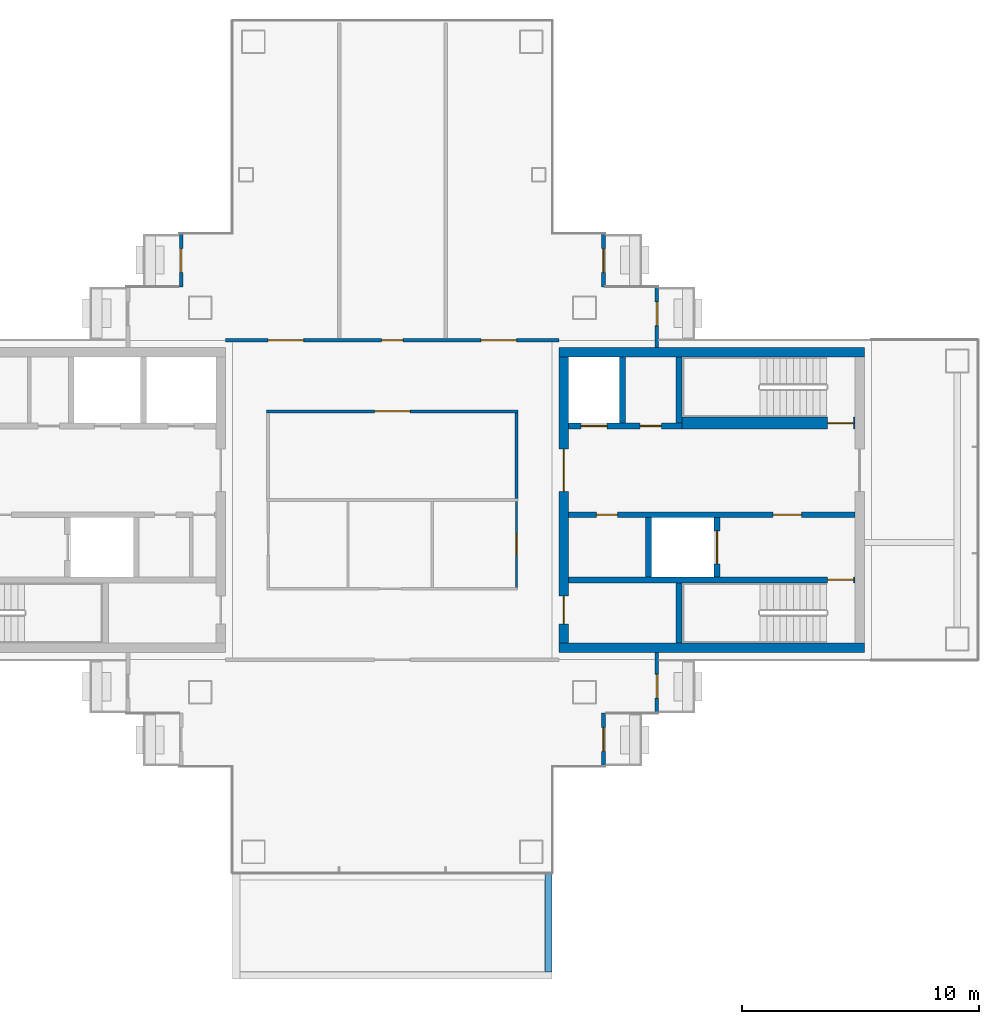
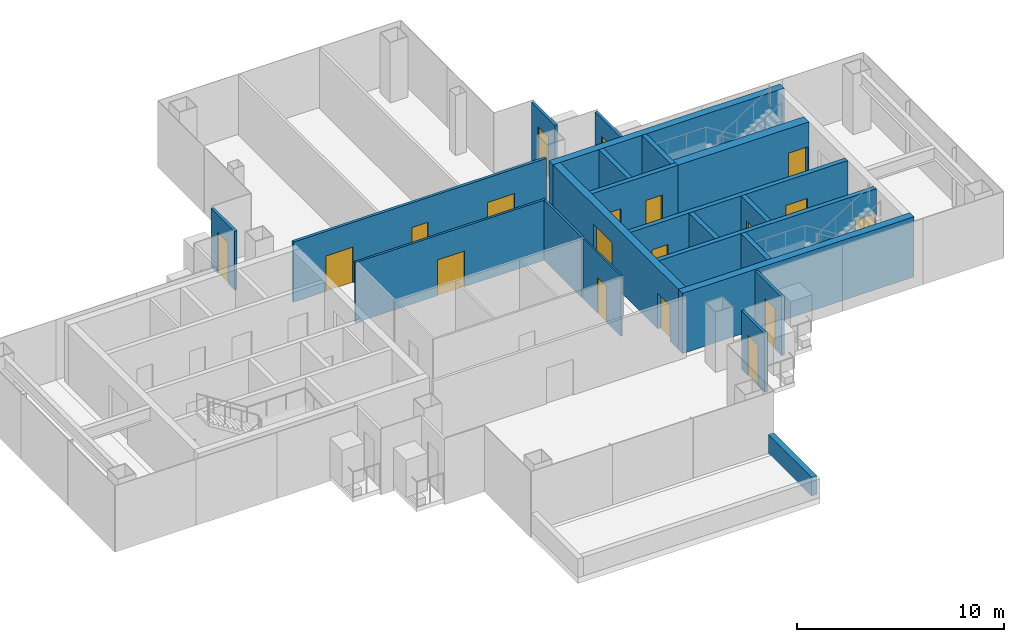
# One storey, part 12 of 16: 22 walls, 19 doors, 19 openings.
"""IFC4 building model written with IfcOpenShell, lengths in metres."""

from ifc_helpers import new_model, si_unit, direction, frame, frame_2d, origin, place, context, subcontext, project, spatial, rectangle, extrude, material, layer, layer_set, type_object, element, fill, save


model = new_model("IFC4")

# Units and contexts
model_context = context("Model", 3, precision=1e-05, world=origin(), true_north=direction((0.0, 1.0)))
body_context = subcontext(model_context, "Body", "Model", "MODEL_VIEW")
ifc_project = project(units=[si_unit("LENGTHUNIT", "METRE"), si_unit("AREAUNIT", "SQUARE_METRE"), si_unit("VOLUMEUNIT", "CUBIC_METRE"), si_unit("PLANEANGLEUNIT", "RADIAN"), si_unit("MASSUNIT", "GRAM", prefix="KILO")], contexts=[model_context])

# Site, building, storey
site_placement = place(None, origin())
site = spatial("IfcSite", under=ifc_project, at=site_placement, CompositionType="ELEMENT")
building_placement = place(site_placement, origin())
building = spatial("IfcBuilding", under=site, at=building_placement, Name="Shamsa Quay Exchange Towers", CompositionType="ELEMENT")
storey_placement = place(building_placement, frame((0.0, 0.0, 182.699951171875)))
storey = spatial("IfcBuildingStorey", under=building, at=storey_placement, Name="L43", CompositionType="ELEMENT", Elevation=182.699951171875)

# Wall, opening, door
ifc_material_1 = material(Name="Aluminium EN AW-6063 T6, black anodised, with black enamelled glass infill", Category="aluminium")
ifc_layer_1 = layer(ifc_material_1, 0.14990234375)
ifc_layer_set_1 = layer_set([ifc_layer_1], Name="BALCONY DOOR BAY WALL 150")
wall_type_1 = type_object("IfcWallType", Name="BALCONY DOOR BAY WALL 150", PredefinedType="SOLIDWALL", material=ifc_layer_set_1)
wall_1_placement = place(storey_placement, frame((24.824951171875, 9.0, 0.0), z_axis=(0.0, 0.0, 1.0), x_axis=(0.0, 1.0, 0.0)))
wall_1 = element("IfcWall", 1, at=wall_1_placement, inside=storey, type_object=wall_type_1, Name="Door bay T2-PKEN L43", PredefinedType="SOLIDWALL", context=body_context, shape_type="SweptSolid", body=[
    extrude(rectangle(XDim=2.25, YDim=0.14990234375, at=frame_2d((1.125, 0.0))), origin(), (0.0, 0.0, 1.0), 3.449951171875),
])
opening_1_placement = place(wall_1_placement, frame((0.625, 0.0, 0.0)))
opening_1 = element("IfcOpeningElement", 2, at=opening_1_placement, cuts=wall_1, Name="Opening XD273", PredefinedType="OPENING", context=body_context, shape_type="SweptSolid", body=[
    extrude(rectangle(XDim=1.0, YDim=2.39990234375, at=frame_2d((0.5, 1.199951171875))), frame((0.0, 0.0849609375, 0.0), z_axis=(0.0, -1.0, 0.0), x_axis=(1.0, 0.0, 0.0)), (0.0, 0.0, 1.0), 0.169921875),
])
ifc_material_2 = material(Name="Aluminium EN AW-6063 T6, black anodised, with laminated glass leaf", Category="aluminium")
door_type_1 = type_object("IfcDoorType", Name="BALCONY DOOR 1000x2400", OperationType="SINGLE_SWING_LEFT", PredefinedType="DOOR", material=ifc_material_2)
door_1_placement = place(opening_1_placement, origin())
door_1 = element("IfcDoor", 3, at=door_1_placement, inside=storey, type_object=door_type_1, Name="Balcony door T2-PKEN L43", OperationType="SINGLE_SWING_RIGHT", OverallHeight=2.39990234375, OverallWidth=1.0, PredefinedType="DOOR", context=body_context, shape_type="SweptSolid", body=[
    extrude(rectangle(XDim=1.0, YDim=2.39990234375, at=frame_2d((0.5, 1.199951171875))), frame((0.0, 0.02490234375, 0.0), z_axis=(0.0, -1.0, 0.0), x_axis=(1.0, 0.0, 0.0)), (0.0, 0.0, 1.0), 0.050048828125),
])
fill(opening_1, door_1)

wall_2_placement = place(storey_placement, frame((42.675048828125, 11.25, 0.0), z_axis=(0.0, 0.0, 1.0), x_axis=(0.0, -1.0, 0.0)))
wall_2 = element("IfcWall", 4, at=wall_2_placement, inside=storey, type_object=wall_type_1, Name="Door bay T2-PKES L43", PredefinedType="SOLIDWALL", context=body_context, shape_type="SweptSolid", body=[
    extrude(rectangle(XDim=2.25, YDim=0.14990234375, at=frame_2d((1.125, 0.0))), origin(), (0.0, 0.0, 1.0), 3.449951171875),
])
opening_2_placement = place(wall_2_placement, frame((0.625, 0.0, 0.0)))
opening_2 = element("IfcOpeningElement", 5, at=opening_2_placement, cuts=wall_2, Name="Opening XD275", PredefinedType="OPENING", context=body_context, shape_type="SweptSolid", body=[
    extrude(rectangle(XDim=1.0, YDim=2.39990234375, at=frame_2d((0.5, 1.199951171875))), frame((0.0, 0.0849609375, 0.0), z_axis=(0.0, -1.0, 0.0), x_axis=(1.0, 0.0, 0.0)), (0.0, 0.0, 1.0), 0.169921875),
])
door_2_placement = place(opening_2_placement, origin())
door_2 = element("IfcDoor", 6, at=door_2_placement, inside=storey, type_object=door_type_1, Name="Balcony door T2-PKES L43", OperationType="SINGLE_SWING_RIGHT", OverallHeight=2.39990234375, OverallWidth=1.0, PredefinedType="DOOR", context=body_context, shape_type="SweptSolid", body=[
    extrude(rectangle(XDim=1.0, YDim=2.39990234375, at=frame_2d((0.5, 1.199951171875))), frame((0.0, 0.02490234375, 0.0), z_axis=(0.0, -1.0, 0.0), x_axis=(1.0, 0.0, 0.0)), (0.0, 0.0, 1.0), 0.050048828125),
])
fill(opening_2, door_2)

wall_3_placement = place(storey_placement, frame((44.925048828125, 9.0, 0.0), z_axis=(0.0, 0.0, 1.0), x_axis=(0.0, -1.0, 0.0)))
wall_3 = element("IfcWall", 7, at=wall_3_placement, inside=storey, type_object=wall_type_1, Name="Door bay T2-PKES L43", PredefinedType="SOLIDWALL", context=body_context, shape_type="SweptSolid", body=[
    extrude(rectangle(XDim=2.556884765625, YDim=0.14990234375, at=frame_2d((1.2783203125, 0.0))), origin(), (0.0, 0.0, 1.0), 3.449951171875),
])
opening_3_placement = place(wall_3_placement, frame((0.625, 0.0, 0.0)))
opening_3 = element("IfcOpeningElement", 8, at=opening_3_placement, cuts=wall_3, Name="Opening XD276", PredefinedType="OPENING", context=body_context, shape_type="SweptSolid", body=[
    extrude(rectangle(XDim=1.0, YDim=2.39990234375, at=frame_2d((0.5, 1.199951171875))), frame((0.0, 0.0849609375, 0.0), z_axis=(0.0, -1.0, 0.0), x_axis=(1.0, 0.0, 0.0)), (0.0, 0.0, 1.0), 0.169921875),
])
door_3_placement = place(opening_3_placement, origin())
door_3 = element("IfcDoor", 9, at=door_3_placement, inside=storey, type_object=door_type_1, Name="Balcony door T2-PKES L43", OperationType="SINGLE_SWING_LEFT", OverallHeight=2.39990234375, OverallWidth=1.0, PredefinedType="DOOR", context=body_context, shape_type="SweptSolid", body=[
    extrude(rectangle(XDim=1.0, YDim=2.39990234375, at=frame_2d((0.5, 1.199951171875))), frame((0.0, 0.02490234375, 0.0), z_axis=(0.0, -1.0, 0.0), x_axis=(1.0, 0.0, 0.0)), (0.0, 0.0, 1.0), 0.050048828125),
])
fill(opening_3, door_3)

wall_4_placement = place(storey_placement, frame((42.675048828125, -9.0, 0.0), z_axis=(0.0, 0.0, 1.0), x_axis=(0.0, -1.0, 0.0)))
wall_4 = element("IfcWall", 10, at=wall_4_placement, inside=storey, type_object=wall_type_1, Name="Door bay T2-PKWS L43", PredefinedType="SOLIDWALL", context=body_context, shape_type="SweptSolid", body=[
    extrude(rectangle(XDim=2.25, YDim=0.14990234375, at=frame_2d((1.125, 0.0))), origin(), (0.0, 0.0, 1.0), 3.449951171875),
])
opening_4_placement = place(wall_4_placement, frame((0.625, 0.0, 0.0)))
opening_4 = element("IfcOpeningElement", 11, at=opening_4_placement, cuts=wall_4, Name="Opening XD279", PredefinedType="OPENING", context=body_context, shape_type="SweptSolid", body=[
    extrude(rectangle(XDim=1.0, YDim=2.39990234375, at=frame_2d((0.5, 1.199951171875))), frame((0.0, 0.0849609375, 0.0), z_axis=(0.0, -1.0, 0.0), x_axis=(1.0, 0.0, 0.0)), (0.0, 0.0, 1.0), 0.169921875),
])
door_4_placement = place(opening_4_placement, origin())
door_4 = element("IfcDoor", 12, at=door_4_placement, inside=storey, type_object=door_type_1, Name="Balcony door T2-PKWS L43", OperationType="SINGLE_SWING_LEFT", OverallHeight=2.39990234375, OverallWidth=1.0, PredefinedType="DOOR", context=body_context, shape_type="SweptSolid", body=[
    extrude(rectangle(XDim=1.0, YDim=2.39990234375, at=frame_2d((0.5, 1.199951171875))), frame((0.0, 0.02490234375, 0.0), z_axis=(0.0, -1.0, 0.0), x_axis=(1.0, 0.0, 0.0)), (0.0, 0.0, 1.0), 0.050048828125),
])
fill(opening_4, door_4)

wall_5_placement = place(storey_placement, frame((44.925048828125, -6.447998046875, 0.0), z_axis=(0.0, 0.0, 1.0), x_axis=(0.0, -1.0, 0.0)))
wall_5 = element("IfcWall", 13, at=wall_5_placement, inside=storey, type_object=wall_type_1, Name="Door bay T2-PKWS L43", PredefinedType="SOLIDWALL", context=body_context, shape_type="SweptSolid", body=[
    extrude(rectangle(XDim=2.552001953125, YDim=0.14990234375, at=frame_2d((1.27587890625, 0.0))), origin(), (0.0, 0.0, 1.0), 3.449951171875),
])
opening_5_placement = place(wall_5_placement, frame((0.927001953125, 0.0, 0.0)))
opening_5 = element("IfcOpeningElement", 14, at=opening_5_placement, cuts=wall_5, Name="Opening XD280", PredefinedType="OPENING", context=body_context, shape_type="SweptSolid", body=[
    extrude(rectangle(XDim=1.0, YDim=2.39990234375, at=frame_2d((0.5, 1.199951171875))), frame((0.0, 0.0849609375, 0.0), z_axis=(0.0, -1.0, 0.0), x_axis=(1.0, 0.0, 0.0)), (0.0, 0.0, 1.0), 0.169921875),
])
door_5_placement = place(opening_5_placement, origin())
door_5 = element("IfcDoor", 15, at=door_5_placement, inside=storey, type_object=door_type_1, Name="Balcony door T2-PKWS L43", OperationType="SINGLE_SWING_RIGHT", OverallHeight=2.39990234375, OverallWidth=1.0, PredefinedType="DOOR", context=body_context, shape_type="SweptSolid", body=[
    extrude(rectangle(XDim=1.0, YDim=2.39990234375, at=frame_2d((0.5, 1.199951171875))), frame((0.0, 0.02490234375, 0.0), z_axis=(0.0, -1.0, 0.0), x_axis=(1.0, 0.0, 0.0)), (0.0, 0.0, 1.0), 0.050048828125),
])
fill(opening_5, door_5)

# Walls
ifc_material_3 = material(Name="Concrete C60/75", Category="concrete")
ifc_layer_2 = layer(ifc_material_3, 0.39990234375)
ifc_layer_set_2 = layer_set([ifc_layer_2], Name="CORE WALL 400 C60/75")
wall_type_2 = type_object("IfcWallType", Name="CORE WALL 400 C60/75", PredefinedType="SHEAR", material=ifc_layer_set_2)
for number, where, z_axis, x_axis, name in (
    (16, (53.699951171875, -6.25, 0.0), (0.0, 0.0, 1.0), (-1.0, 0.0, 0.0), "Core wall T2B-R20-PS"),
    (17, (53.699951171875, 6.25, 0.0), (0.0, 0.0, 1.0), (-1.0, 0.0, 0.0), "Core wall T2B-R20-PN"),
):
    element("IfcWall", number, at=place(storey_placement, frame(where, z_axis=z_axis, x_axis=x_axis)), inside=storey, type_object=wall_type_2, Name=name, PredefinedType="SHEAR", context=body_context, shape_type="SweptSolid", body=[
        extrude(rectangle(XDim=12.89990234375, YDim=0.39990234375, at=frame_2d((6.449951171875, 0.0))), origin(), (0.0, 0.0, 1.0), 3.550048828125),
    ])

# Wall, openings, doors
wall_6_placement = place(storey_placement, frame((41.0, -6.050048828125, 0.0), z_axis=(0.0, 0.0, 1.0), x_axis=(0.0, 1.0, 0.0)))
wall_6 = element("IfcWall", 18, at=wall_6_placement, inside=storey, type_object=wall_type_2, Name="Core wall T2B-R20-PB", PredefinedType="SHEAR", context=body_context, shape_type="SweptSolid", body=[
    extrude(rectangle(XDim=12.10009765625, YDim=0.39990234375, at=frame_2d((6.050048828125, 0.0))), origin(), (0.0, 0.0, 1.0), 3.550048828125),
])
opening_6_placement = place(wall_6_placement, frame((0.800048828125, 0.0, 0.0)))
opening_6 = element("IfcOpeningElement", 19, at=opening_6_placement, cuts=wall_6, Name="Opening T2B-R20-RD02", PredefinedType="OPENING", context=body_context, shape_type="SweptSolid", body=[
    extrude(rectangle(XDim=1.199951171875, YDim=2.10009765625, at=frame_2d((0.60009765625, 1.050048828125))), frame((0.0, 0.2099609375, 0.0), z_axis=(0.0, -1.0, 0.0), x_axis=(1.0, 0.0, 0.0)), (0.0, 0.0, 1.0), 0.419921875),
])
opening_7_placement = place(wall_6_placement, frame((6.39990234375, 0.0, 0.0)))
opening_7 = element("IfcOpeningElement", 20, at=opening_7_placement, cuts=wall_6, Name="Opening T2B-R20-LBD03", PredefinedType="OPENING", context=body_context, shape_type="SweptSolid", body=[
    extrude(rectangle(XDim=1.800048828125, YDim=2.39990234375, at=frame_2d((0.89990234375, 1.199951171875))), frame((0.0, 0.2099609375, 0.0), z_axis=(0.0, -1.0, 0.0), x_axis=(1.0, 0.0, 0.0)), (0.0, 0.0, 1.0), 0.419921875),
])
ifc_material_4 = material(Name="Steel, fire rated", Category="steel")
door_type_2 = type_object("IfcDoorType", Name="LIFT LOBBY DOOR PAIR 1800", OperationType="DOUBLE_DOOR_SINGLE_SWING", PredefinedType="DOOR", material=ifc_material_4)
door_6_placement = place(opening_7_placement, origin())
door_6 = element("IfcDoor", 21, at=door_6_placement, inside=storey, type_object=door_type_2, Name="T2B-R20-LBD03", OperationType="DOUBLE_DOOR_SINGLE_SWING", OverallHeight=2.39990234375, OverallWidth=1.800048828125, PredefinedType="DOOR", context=body_context, shape_type="SweptSolid", body=[
    extrude(rectangle(XDim=1.800048828125, YDim=2.39990234375, at=frame_2d((0.89990234375, 1.199951171875))), frame((0.0, 0.02490234375, 0.0), z_axis=(0.0, -1.0, 0.0), x_axis=(1.0, 0.0, 0.0)), (0.0, 0.0, 1.0), 0.050048828125),
])
fill(opening_7, door_6)
door_type_3 = type_object("IfcDoorType", Name="RISER ACCESS DOOR 1200", OperationType="SINGLE_SWING_LEFT", PredefinedType="DOOR", material=ifc_material_4)
door_7_placement = place(opening_6_placement, origin())
door_7 = element("IfcDoor", 22, at=door_7_placement, inside=storey, type_object=door_type_3, Name="T2B-R20-RD02", OperationType="SINGLE_SWING_LEFT", OverallHeight=2.10009765625, OverallWidth=1.199951171875, PredefinedType="DOOR", context=body_context, shape_type="SweptSolid", body=[
    extrude(rectangle(XDim=1.199951171875, YDim=2.10009765625, at=frame_2d((0.60009765625, 1.050048828125))), frame((0.0, 0.02490234375, 0.0), z_axis=(0.0, -1.0, 0.0), x_axis=(1.0, 0.0, 0.0)), (0.0, 0.0, 1.0), 0.050048828125),
])
fill(opening_6, door_7)

# Wall
ifc_material_5 = material(Name="Laminated fire-resisting glass in a metal frame", Category="glass")
ifc_layer_3 = layer(ifc_material_5, 0.125)
ifc_layer_set_3 = layer_set([ifc_layer_3], Name="Glazed partition 125 mm EI 60")
wall_type_3 = type_object("IfcWallType", Name="Glazed partition 125 mm EI 60", PredefinedType="PARTITIONING", material=ifc_layer_set_3)
wall_7_placement = place(storey_placement, frame((39.0, 0.0625, 0.0), z_axis=(0.0, 0.0, 1.0), x_axis=(0.0, 1.0, 0.0)))
element("IfcWall", 23, at=wall_7_placement, inside=storey, type_object=wall_type_3, Name="Partition T2-R20-W04", PredefinedType="PARTITIONING", context=body_context, shape_type="SweptSolid", body=[
    extrude(rectangle(XDim=3.625, YDim=0.125, at=frame_2d((1.8125, 0.0))), origin(), (0.0, 0.0, 1.0), 3.550048828125),
])

# Wall, opening, door
wall_8_placement = place(storey_placement, frame((39.0625, 3.75, 0.0), z_axis=(0.0, 0.0, 1.0), x_axis=(-1.0, 0.0, 0.0)))
wall_8 = element("IfcWall", 24, at=wall_8_placement, inside=storey, type_object=wall_type_3, Name="Partition T2-R20-W06", PredefinedType="PARTITIONING", context=body_context, shape_type="SweptSolid", body=[
    extrude(rectangle(XDim=10.625, YDim=0.125, at=frame_2d((5.3125, 0.0))), origin(), (0.0, 0.0, 1.0), 3.550048828125),
])
opening_8_placement = place(wall_8_placement, frame((4.5625, 0.0, 0.0)))
opening_8 = element("IfcOpeningElement", 25, at=opening_8_placement, cuts=wall_8, Name="Opening T2-R20-D07", PredefinedType="OPENING", context=body_context, shape_type="SweptSolid", body=[
    extrude(rectangle(XDim=1.5, YDim=2.10009765625, at=frame_2d((0.75, 1.050048828125))), frame((0.0, 0.072509765625, 0.0), z_axis=(0.0, -1.0, 0.0), x_axis=(1.0, 0.0, 0.0)), (0.0, 0.0, 1.0), 0.14501953125),
])
ifc_material_6 = material(Name="Timber door leaf in a metal frame", Category="wood")
door_type_4 = type_object("IfcDoorType", Name="Door 1500x2100 FD30S pair", OperationType="NOTDEFINED", PredefinedType="DOOR", material=ifc_material_6)
door_8_placement = place(opening_8_placement, origin())
door_8 = element("IfcDoor", 26, at=door_8_placement, inside=storey, type_object=door_type_4, Name="Door T2-R20-D07", OperationType="DOUBLE_DOOR_SINGLE_SWING", OverallHeight=2.10009765625, OverallWidth=1.5, PredefinedType="DOOR", context=body_context, shape_type="SweptSolid", body=[
    extrude(rectangle(XDim=1.5, YDim=2.10009765625, at=frame_2d((0.75, 1.050048828125))), frame((0.0, 0.02490234375, 0.0), z_axis=(0.0, -1.0, 0.0), x_axis=(1.0, 0.0, 0.0)), (0.0, 0.0, 1.0), 0.050048828125),
])
fill(opening_8, door_8)

ifc_material_7 = material(Name="Gypsum board partition on metal studs")
ifc_layer_4 = layer(ifc_material_7, 0.10009765625)
ifc_layer_set_4 = layer_set([ifc_layer_4], Name="Partition 100 mm NOT RATED")
wall_type_4 = type_object("IfcWallType", Name="Partition 100 mm NOT RATED", PredefinedType="PARTITIONING", material=ifc_layer_set_4)
wall_9_placement = place(storey_placement, frame((39.0, -3.699951171875, 0.0), z_axis=(0.0, 0.0, 1.0), x_axis=(0.0, 1.0, 0.0)))
wall_9 = element("IfcWall", 27, at=wall_9_placement, inside=storey, type_object=wall_type_4, Name="Partition T2-R20-W01", PredefinedType="PARTITIONING", context=body_context, shape_type="SweptSolid", body=[
    extrude(rectangle(XDim=3.637451171875, YDim=0.10009765625, at=frame_2d((1.81884765625, 0.0))), origin(), (0.0, 0.0, 1.0), 3.550048828125),
])
opening_9_placement = place(wall_9_placement, frame((1.375, 0.0, 0.0)))
opening_9 = element("IfcOpeningElement", 28, at=opening_9_placement, cuts=wall_9, Name="Opening T2-R20-D05", PredefinedType="OPENING", context=body_context, shape_type="SweptSolid", body=[
    extrude(rectangle(XDim=0.89990234375, YDim=2.10009765625, at=frame_2d((0.449951171875, 1.050048828125))), frame((0.0, 0.06005859375, 0.0), z_axis=(0.0, -1.0, 0.0), x_axis=(1.0, 0.0, 0.0)), (0.0, 0.0, 1.0), 0.1201171875),
])
door_type_5 = type_object("IfcDoorType", Name="Door 900x2100 NOT RATED", OperationType="NOTDEFINED", PredefinedType="DOOR", material=ifc_material_6)
door_9_placement = place(opening_9_placement, origin())
door_9 = element("IfcDoor", 29, at=door_9_placement, inside=storey, type_object=door_type_5, Name="Door T2-R20-D05", OperationType="SINGLE_SWING_RIGHT", OverallHeight=2.10009765625, OverallWidth=0.89990234375, PredefinedType="DOOR", context=body_context, shape_type="SweptSolid", body=[
    extrude(rectangle(XDim=0.89990234375, YDim=2.10009765625, at=frame_2d((0.449951171875, 1.050048828125))), frame((0.0, 0.02490234375, 0.0), z_axis=(0.0, -1.0, 0.0), x_axis=(1.0, 0.0, 0.0)), (0.0, 0.0, 1.0), 0.050048828125),
])
fill(opening_9, door_9)

# Wall, openings, doors
ifc_layer_5 = layer(ifc_material_7, 0.14990234375)
ifc_layer_set_5 = layer_set([ifc_layer_5], Name="Partition 150 mm EI 60")
wall_type_5 = type_object("IfcWallType", Name="Partition 150 mm EI 60", PredefinedType="PARTITIONING", material=ifc_layer_set_5)
wall_10_placement = place(storey_placement, frame((26.699951171875, 6.75, 0.0)))
wall_10 = element("IfcWall", 30, at=wall_10_placement, inside=storey, type_object=wall_type_5, Name="Partition T2-R20-W07", PredefinedType="PARTITIONING", context=body_context, shape_type="SweptSolid", body=[
    extrude(rectangle(XDim=14.10009765625, YDim=0.14990234375, at=frame_2d((7.050048828125, 0.0))), origin(), (0.0, 0.0, 1.0), 3.550048828125),
])
opening_10_placement = place(wall_10_placement, frame((10.800048828125, 0.0, 0.0)))
opening_10 = element("IfcOpeningElement", 31, at=opening_10_placement, cuts=wall_10, Name="Opening T2-R20-D01", PredefinedType="OPENING", context=body_context, shape_type="SweptSolid", body=[
    extrude(rectangle(XDim=1.5, YDim=2.10009765625, at=frame_2d((0.75, 1.050048828125))), frame((0.0, 0.0849609375, 0.0), z_axis=(0.0, -1.0, 0.0), x_axis=(1.0, 0.0, 0.0)), (0.0, 0.0, 1.0), 0.169921875),
])
opening_11_placement = place(wall_10_placement, frame((6.60009765625, 0.0, 0.0)))
opening_11 = element("IfcOpeningElement", 32, at=opening_11_placement, cuts=wall_10, Name="Opening T2-R20-D02", PredefinedType="OPENING", context=body_context, shape_type="SweptSolid", body=[
    extrude(rectangle(XDim=0.89990234375, YDim=2.10009765625, at=frame_2d((0.449951171875, 1.050048828125))), frame((0.0, 0.0849609375, 0.0), z_axis=(0.0, -1.0, 0.0), x_axis=(1.0, 0.0, 0.0)), (0.0, 0.0, 1.0), 0.169921875),
])
opening_12_placement = place(wall_10_placement, frame((1.800048828125, 0.0, 0.0)))
opening_12 = element("IfcOpeningElement", 33, at=opening_12_placement, cuts=wall_10, Name="Opening T2-R20-D03", PredefinedType="OPENING", context=body_context, shape_type="SweptSolid", body=[
    extrude(rectangle(XDim=1.5, YDim=2.10009765625, at=frame_2d((0.75, 1.050048828125))), frame((0.0, 0.0849609375, 0.0), z_axis=(0.0, -1.0, 0.0), x_axis=(1.0, 0.0, 0.0)), (0.0, 0.0, 1.0), 0.169921875),
])
door_10_placement = place(opening_10_placement, origin())
door_10 = element("IfcDoor", 34, at=door_10_placement, inside=storey, type_object=door_type_4, Name="Door T2-R20-D01", OperationType="DOUBLE_DOOR_SINGLE_SWING", OverallHeight=2.10009765625, OverallWidth=1.5, PredefinedType="DOOR", context=body_context, shape_type="SweptSolid", body=[
    extrude(rectangle(XDim=1.5, YDim=2.10009765625, at=frame_2d((0.75, 1.050048828125))), frame((0.0, 0.02490234375, 0.0), z_axis=(0.0, -1.0, 0.0), x_axis=(1.0, 0.0, 0.0)), (0.0, 0.0, 1.0), 0.050048828125),
])
fill(opening_10, door_10)
door_11_placement = place(opening_12_placement, origin())
door_11 = element("IfcDoor", 35, at=door_11_placement, inside=storey, type_object=door_type_4, Name="Door T2-R20-D03", OperationType="DOUBLE_DOOR_SINGLE_SWING", OverallHeight=2.10009765625, OverallWidth=1.5, PredefinedType="DOOR", context=body_context, shape_type="SweptSolid", body=[
    extrude(rectangle(XDim=1.5, YDim=2.10009765625, at=frame_2d((0.75, 1.050048828125))), frame((0.0, 0.02490234375, 0.0), z_axis=(0.0, -1.0, 0.0), x_axis=(1.0, 0.0, 0.0)), (0.0, 0.0, 1.0), 0.050048828125),
])
fill(opening_12, door_11)
door_type_6 = type_object("IfcDoorType", Name="Door 900x2100 FD30S", OperationType="NOTDEFINED", PredefinedType="DOOR", material=ifc_material_6)
door_12_placement = place(opening_11_placement, origin())
door_12 = element("IfcDoor", 36, at=door_12_placement, inside=storey, type_object=door_type_6, Name="Door T2-R20-D02", OperationType="SINGLE_SWING_LEFT", OverallHeight=2.10009765625, OverallWidth=0.89990234375, PredefinedType="DOOR", context=body_context, shape_type="SweptSolid", body=[
    extrude(rectangle(XDim=0.89990234375, YDim=2.10009765625, at=frame_2d((0.449951171875, 1.050048828125))), frame((0.0, 0.02490234375, 0.0), z_axis=(0.0, -1.0, 0.0), x_axis=(1.0, 0.0, 0.0)), (0.0, 0.0, 1.0), 0.050048828125),
])
fill(opening_11, door_12)

# Wall
ifc_material_8 = material(Name="Reinforced concrete C30/37", Category="concrete")
ifc_layer_6 = layer(ifc_material_8, 0.300048828125)
ifc_layer_set_6 = layer_set([ifc_layer_6], Name="ROOF PARAPET 300 C30/37")
wall_type_6 = type_object("IfcWallType", Name="ROOF PARAPET 300 C30/37", PredefinedType="PARAPET", material=ifc_layer_set_6)
wall_11_placement = place(storey_placement, frame((40.35009765625, -19.949951171875, 0.0), z_axis=(0.0, 0.0, 1.0), x_axis=(0.0, 1.0, 0.0)))
element("IfcWall", 37, at=wall_11_placement, inside=storey, type_object=wall_type_6, Name="Parapet L42 3", PredefinedType="PARAPET", context=body_context, shape_type="SweptSolid", body=[
    extrude(rectangle(XDim=4.199951171875, YDim=0.300048828125, at=frame_2d((2.10009765625, 0.0))), origin(), (0.0, 0.0, 1.0), 1.10009765625),
])

# Wall, opening, door
ifc_material_9 = material(Name="Concrete C50/60", Category="concrete")
ifc_layer_7 = layer(ifc_material_9, 0.25)
ifc_layer_set_7 = layer_set([ifc_layer_7], Name="SHAFT WALL 250 C50/60")
wall_type_7 = type_object("IfcWallType", Name="SHAFT WALL 250 C50/60", PredefinedType="SHEAR", material=ifc_layer_set_7)
wall_12_placement = place(storey_placement, frame((53.300048828125, -3.375, 0.0), z_axis=(0.0, 0.0, 1.0), x_axis=(-1.0, 0.0, 0.0)))
wall_12 = element("IfcWall", 38, at=wall_12_placement, inside=storey, type_object=wall_type_7, Name="Shaft wall T2B-R20-STL", PredefinedType="SHEAR", context=body_context, shape_type="SweptSolid", body=[
    extrude(rectangle(XDim=12.10009765625, YDim=0.25, at=frame_2d((6.050048828125, 0.0))), origin(), (0.0, 0.0, 1.0), 3.550048828125),
])
opening_13_placement = place(wall_12_placement, frame((0.050048828125, 0.0, 0.0)))
opening_13 = element("IfcOpeningElement", 39, at=opening_13_placement, cuts=wall_12, Name="Opening T2B-R20-SD04", PredefinedType="OPENING", context=body_context, shape_type="SweptSolid", body=[
    extrude(rectangle(XDim=1.10009765625, YDim=2.10009765625, at=frame_2d((0.550048828125, 1.050048828125))), frame((0.0, 0.135009765625, 0.0), z_axis=(0.0, -1.0, 0.0), x_axis=(1.0, 0.0, 0.0)), (0.0, 0.0, 1.0), 0.27001953125),
])
door_type_7 = type_object("IfcDoorType", Name="STAIR DOOR 1100", OperationType="SINGLE_SWING_LEFT", PredefinedType="DOOR", material=ifc_material_4)
door_13_placement = place(opening_13_placement, origin())
door_13 = element("IfcDoor", 40, at=door_13_placement, inside=storey, type_object=door_type_7, Name="T2B-R20-SD04", OperationType="SINGLE_SWING_LEFT", OverallHeight=2.10009765625, OverallWidth=1.10009765625, PredefinedType="DOOR", context=body_context, shape_type="SweptSolid", body=[
    extrude(rectangle(XDim=1.10009765625, YDim=2.10009765625, at=frame_2d((0.550048828125, 1.050048828125))), frame((0.0, 0.02490234375, 0.0), z_axis=(0.0, -1.0, 0.0), x_axis=(1.0, 0.0, 0.0)), (0.0, 0.0, 1.0), 0.050048828125),
])
fill(opening_13, door_13)

# Wall
wall_13_placement = place(storey_placement, frame((45.875, -6.050048828125, 0.0), z_axis=(0.0, 0.0, 1.0), x_axis=(0.0, 1.0, 0.0)))
element("IfcWall", 41, at=wall_13_placement, inside=storey, type_object=wall_type_7, Name="Shaft wall T2B-R20-STF", PredefinedType="SHEAR", context=body_context, shape_type="SweptSolid", body=[
    extrude(rectangle(XDim=2.550048828125, YDim=0.25, at=frame_2d((1.27490234375, 0.0))), origin(), (0.0, 0.0, 1.0), 3.550048828125),
])

# Wall, openings, doors
wall_14_placement = place(storey_placement, frame((53.300048828125, -0.625, 0.0), z_axis=(0.0, 0.0, 1.0), x_axis=(-1.0, 0.0, 0.0)))
wall_14 = element("IfcWall", 42, at=wall_14_placement, inside=storey, type_object=wall_type_7, Name="Shaft wall T2B-R20-B", PredefinedType="SHEAR", context=body_context, shape_type="SweptSolid", body=[
    extrude(rectangle(XDim=12.10009765625, YDim=0.25, at=frame_2d((6.050048828125, 0.0))), origin(), (0.0, 0.0, 1.0), 3.550048828125),
])
opening_14_placement = place(wall_14_placement, frame((2.25, 0.0, 0.0)))
opening_14 = element("IfcOpeningElement", 43, at=opening_14_placement, cuts=wall_14, Name="Opening T2B-R20-FD05", PredefinedType="OPENING", context=body_context, shape_type="SweptSolid", body=[
    extrude(rectangle(XDim=1.199951171875, YDim=2.10009765625, at=frame_2d((0.60009765625, 1.050048828125))), frame((0.0, 0.135009765625, 0.0), z_axis=(0.0, -1.0, 0.0), x_axis=(1.0, 0.0, 0.0)), (0.0, 0.0, 1.0), 0.27001953125),
])
opening_15_placement = place(wall_14_placement, frame((10.02490234375, 0.0, 0.0)))
opening_15 = element("IfcOpeningElement", 44, at=opening_15_placement, cuts=wall_14, Name="Opening T2B-R20-SV06", PredefinedType="OPENING", context=body_context, shape_type="SweptSolid", body=[
    extrude(rectangle(XDim=0.89990234375, YDim=2.10009765625, at=frame_2d((0.449951171875, 1.050048828125))), frame((0.0, 0.135009765625, 0.0), z_axis=(0.0, -1.0, 0.0), x_axis=(1.0, 0.0, 0.0)), (0.0, 0.0, 1.0), 0.27001953125),
])
door_type_8 = type_object("IfcDoorType", Name="FIRE SERVICE LOBBY DOOR 1200", OperationType="SINGLE_SWING_LEFT", PredefinedType="DOOR", material=ifc_material_4)
door_14_placement = place(opening_14_placement, origin())
door_14 = element("IfcDoor", 45, at=door_14_placement, inside=storey, type_object=door_type_8, Name="T2B-R20-FD05", OperationType="SINGLE_SWING_LEFT", OverallHeight=2.10009765625, OverallWidth=1.199951171875, PredefinedType="DOOR", context=body_context, shape_type="SweptSolid", body=[
    extrude(rectangle(XDim=1.199951171875, YDim=2.10009765625, at=frame_2d((0.60009765625, 1.050048828125))), frame((0.0, 0.02490234375, 0.0), z_axis=(0.0, -1.0, 0.0), x_axis=(1.0, 0.0, 0.0)), (0.0, 0.0, 1.0), 0.050048828125),
])
fill(opening_14, door_14)
door_type_9 = type_object("IfcDoorType", Name="SERVICE ROOM DOOR 900", OperationType="SINGLE_SWING_LEFT", PredefinedType="DOOR", material=ifc_material_4)
door_15_placement = place(opening_15_placement, origin())
door_15 = element("IfcDoor", 46, at=door_15_placement, inside=storey, type_object=door_type_9, Name="T2B-R20-SV06", OperationType="SINGLE_SWING_RIGHT", OverallHeight=2.10009765625, OverallWidth=0.89990234375, PredefinedType="DOOR", context=body_context, shape_type="SweptSolid", body=[
    extrude(rectangle(XDim=0.89990234375, YDim=2.10009765625, at=frame_2d((0.449951171875, 1.050048828125))), frame((0.0, 0.02490234375, 0.0), z_axis=(0.0, -1.0, 0.0), x_axis=(1.0, 0.0, 0.0)), (0.0, 0.0, 1.0), 0.050048828125),
])
fill(opening_15, door_15)

# Wall, opening, door
wall_15_placement = place(storey_placement, frame((47.47509765625, -3.25, 0.0), z_axis=(0.0, 0.0, 1.0), x_axis=(0.0, 1.0, 0.0)))
wall_15 = element("IfcWall", 47, at=wall_15_placement, inside=storey, type_object=wall_type_7, Name="Shaft wall T2B-R20-FFF", PredefinedType="SHEAR", context=body_context, shape_type="SweptSolid", body=[
    extrude(rectangle(XDim=2.5, YDim=0.25, at=frame_2d((1.25, 0.0))), origin(), (0.0, 0.0, 1.0), 3.550048828125),
])
opening_16_placement = place(wall_15_placement, frame((0.550048828125, 0.0, 0.0)))
opening_16 = element("IfcOpeningElement", 48, at=opening_16_placement, cuts=wall_15, Name="Opening T2B-R20-LDG07", PredefinedType="OPENING", context=body_context, shape_type="SweptSolid", body=[
    extrude(rectangle(XDim=1.39990234375, YDim=2.39990234375, at=frame_2d((0.699951171875, 1.199951171875))), frame((0.0, 0.135009765625, 0.0), z_axis=(0.0, -1.0, 0.0), x_axis=(1.0, 0.0, 0.0)), (0.0, 0.0, 1.0), 0.27001953125),
])
door_type_10 = type_object("IfcDoorType", Name="GOODS LIFT LANDING DOOR 1400", OperationType="SLIDING_TO_LEFT", PredefinedType="DOOR", material=ifc_material_4)
door_16_placement = place(opening_16_placement, origin())
door_16 = element("IfcDoor", 49, at=door_16_placement, inside=storey, type_object=door_type_10, Name="T2B-R20-LDG07", OperationType="SLIDING_TO_LEFT", OverallHeight=2.39990234375, OverallWidth=1.39990234375, PredefinedType="DOOR", context=body_context, shape_type="SweptSolid", body=[
    extrude(rectangle(XDim=1.39990234375, YDim=2.39990234375, at=frame_2d((0.699951171875, 1.199951171875))), frame((0.0, 0.02490234375, 0.0), z_axis=(0.0, -1.0, 0.0), x_axis=(1.0, 0.0, 0.0)), (0.0, 0.0, 1.0), 0.050048828125),
])
fill(opening_16, door_16)

# Wall
wall_16_placement = place(storey_placement, frame((44.574951171875, -3.25, 0.0), z_axis=(0.0, 0.0, 1.0), x_axis=(0.0, 1.0, 0.0)))
element("IfcWall", 50, at=wall_16_placement, inside=storey, type_object=wall_type_7, Name="Shaft wall T2B-R20-FFB", PredefinedType="SHEAR", context=body_context, shape_type="SweptSolid", body=[
    extrude(rectangle(XDim=2.5, YDim=0.25, at=frame_2d((1.25, 0.0))), origin(), (0.0, 0.0, 1.0), 3.550048828125),
])

# Wall, openings, doors
wall_17_placement = place(storey_placement, frame((41.199951171875, 3.125, 0.0)))
wall_17 = element("IfcWall", 51, at=wall_17_placement, inside=storey, type_object=wall_type_7, Name="Shaft wall T2B-R20-N2", PredefinedType="SHEAR", context=body_context, shape_type="SweptSolid", body=[
    extrude(rectangle(XDim=4.800048828125, YDim=0.25, at=frame_2d((2.39990234375, 0.0))), origin(), (0.0, 0.0, 1.0), 3.550048828125),
])
opening_17_placement = place(wall_17_placement, frame((0.52490234375, 0.0, 0.0)))
opening_17 = element("IfcOpeningElement", 52, at=opening_17_placement, cuts=wall_17, Name="Opening T2B-R20-LD09", PredefinedType="OPENING", context=body_context, shape_type="SweptSolid", body=[
    extrude(rectangle(XDim=1.10009765625, YDim=2.10009765625, at=frame_2d((0.550048828125, 1.050048828125))), frame((0.0, 0.135009765625, 0.0), z_axis=(0.0, -1.0, 0.0), x_axis=(1.0, 0.0, 0.0)), (0.0, 0.0, 1.0), 0.27001953125),
])
opening_18_placement = place(wall_17_placement, frame((3.02490234375, 0.0, 0.0)))
opening_18 = element("IfcOpeningElement", 53, at=opening_18_placement, cuts=wall_17, Name="Opening T2B-R20-SV10", PredefinedType="OPENING", context=body_context, shape_type="SweptSolid", body=[
    extrude(rectangle(XDim=0.89990234375, YDim=2.10009765625, at=frame_2d((0.449951171875, 1.050048828125))), frame((0.0, 0.135009765625, 0.0), z_axis=(0.0, -1.0, 0.0), x_axis=(1.0, 0.0, 0.0)), (0.0, 0.0, 1.0), 0.27001953125),
])
door_type_11 = type_object("IfcDoorType", Name="LANDING DOOR 1100", OperationType="SLIDING_TO_LEFT", PredefinedType="DOOR", material=ifc_material_4)
door_17_placement = place(opening_17_placement, origin())
door_17 = element("IfcDoor", 54, at=door_17_placement, inside=storey, type_object=door_type_11, Name="T2B-R20-LD09", OperationType="SLIDING_TO_LEFT", OverallHeight=2.10009765625, OverallWidth=1.10009765625, PredefinedType="DOOR", context=body_context, shape_type="SweptSolid", body=[
    extrude(rectangle(XDim=1.10009765625, YDim=2.10009765625, at=frame_2d((0.550048828125, 1.050048828125))), frame((0.0, 0.02490234375, 0.0), z_axis=(0.0, -1.0, 0.0), x_axis=(1.0, 0.0, 0.0)), (0.0, 0.0, 1.0), 0.050048828125),
])
fill(opening_17, door_17)
door_18_placement = place(opening_18_placement, origin())
door_18 = element("IfcDoor", 55, at=door_18_placement, inside=storey, type_object=door_type_9, Name="T2B-R20-SV10", OperationType="SINGLE_SWING_RIGHT", OverallHeight=2.10009765625, OverallWidth=0.89990234375, PredefinedType="DOOR", context=body_context, shape_type="SweptSolid", body=[
    extrude(rectangle(XDim=0.89990234375, YDim=2.10009765625, at=frame_2d((0.449951171875, 1.050048828125))), frame((0.0, 0.02490234375, 0.0), z_axis=(0.0, -1.0, 0.0), x_axis=(1.0, 0.0, 0.0)), (0.0, 0.0, 1.0), 0.050048828125),
])
fill(opening_18, door_18)

# Walls
for number, where, z_axis, x_axis, name in (
    (56, (45.875, 3.25, 0.0), (0.0, 0.0, 1.0), (0.0, 1.0, 0.0), "Shaft wall T2B-R20-STF2"),
    (57, (43.47509765625, 3.25, 0.0), (0.0, 0.0, 1.0), (0.0, 1.0, 0.0), "Shaft wall T2B-R20-D0"),
):
    element("IfcWall", number, at=place(storey_placement, frame(where, z_axis=z_axis, x_axis=x_axis)), inside=storey, type_object=wall_type_7, Name=name, PredefinedType="SHEAR", context=body_context, shape_type="SweptSolid", body=[
        extrude(rectangle(XDim=2.800048828125, YDim=0.25, at=frame_2d((1.39990234375, 0.0))), origin(), (0.0, 0.0, 1.0), 3.550048828125),
    ])

# Wall, opening, door
ifc_layer_8 = layer(ifc_material_9, 0.5)
ifc_layer_set_8 = layer_set([ifc_layer_8], Name="SHAFT WALL 500 C50/60")
wall_type_8 = type_object("IfcWallType", Name="SHAFT WALL 500 C50/60", PredefinedType="SHEAR", material=ifc_layer_set_8)
wall_18_placement = place(storey_placement, frame((46.0, 3.25, 0.0)))
wall_18 = element("IfcWall", 58, at=wall_18_placement, inside=storey, type_object=wall_type_8, Name="Shaft wall T2B-R20-N", PredefinedType="SHEAR", context=body_context, shape_type="SweptSolid", body=[
    extrude(rectangle(XDim=7.300048828125, YDim=0.5, at=frame_2d((3.64990234375, 0.0))), origin(), (0.0, 0.0, 1.0), 3.550048828125),
])
opening_19_placement = place(wall_18_placement, frame((6.14990234375, 0.0, 0.0)))
opening_19 = element("IfcOpeningElement", 59, at=opening_19_placement, cuts=wall_18, Name="Opening T2B-R20-SD08", PredefinedType="OPENING", context=body_context, shape_type="SweptSolid", body=[
    extrude(rectangle(XDim=1.10009765625, YDim=2.10009765625, at=frame_2d((0.550048828125, 1.050048828125))), frame((0.0, 0.260009765625, 0.0), z_axis=(0.0, -1.0, 0.0), x_axis=(1.0, 0.0, 0.0)), (0.0, 0.0, 1.0), 0.52001953125),
])
door_19_placement = place(opening_19_placement, origin())
door_19 = element("IfcDoor", 60, at=door_19_placement, inside=storey, type_object=door_type_7, Name="T2B-R20-SD08", OperationType="SINGLE_SWING_RIGHT", OverallHeight=2.10009765625, OverallWidth=1.10009765625, PredefinedType="DOOR", context=body_context, shape_type="SweptSolid", body=[
    extrude(rectangle(XDim=1.10009765625, YDim=2.10009765625, at=frame_2d((0.550048828125, 1.050048828125))), frame((0.0, 0.02490234375, 0.0), z_axis=(0.0, -1.0, 0.0), x_axis=(1.0, 0.0, 0.0)), (0.0, 0.0, 1.0), 0.050048828125),
])
fill(opening_19, door_19)

save(model, "model.ifc")
